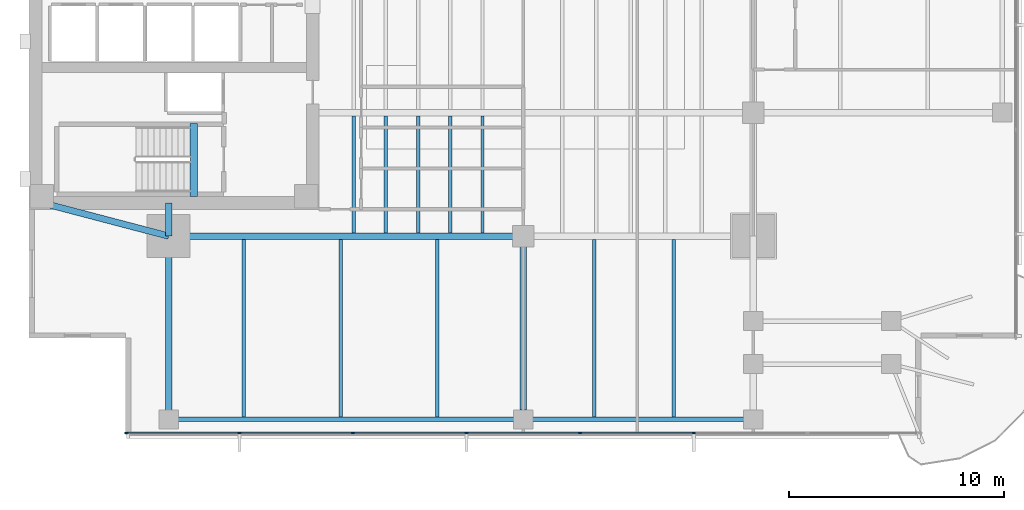
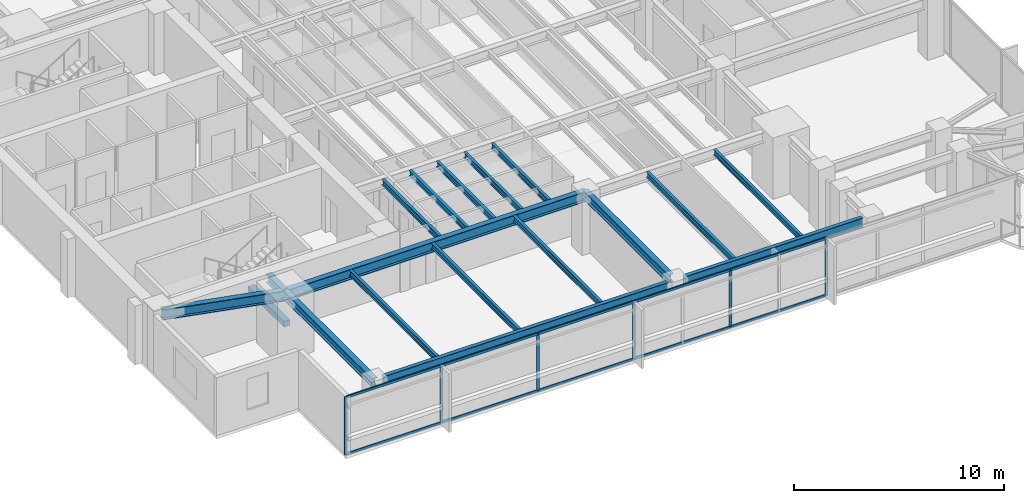
# One storey, part 2 of 14: 18 beams, 16 members, 1 element without a shape of its own.
"""IFC4 building model written with IfcOpenShell, lengths in metres."""

from ifc_helpers import new_model, si_unit, direction, frame, origin, origin_2d, place, context, subcontext, project, spatial, rectangle, i_section, extrude, material, layer, layer_set, material_profile, profile_set, type_object, element, aggregate, save


model = new_model("IFC4")

# Units and contexts
model_context = context("Model", 3, precision=1e-05, world=origin(), true_north=direction((0.0, 1.0)))
body_context = subcontext(model_context, "Body", "Model", "MODEL_VIEW")
ifc_project = project(units=[si_unit("LENGTHUNIT", "METRE"), si_unit("AREAUNIT", "SQUARE_METRE"), si_unit("VOLUMEUNIT", "CUBIC_METRE"), si_unit("PLANEANGLEUNIT", "RADIAN"), si_unit("MASSUNIT", "GRAM", prefix="KILO")], contexts=[model_context])

# Site, building, storey
site_placement = place(None, origin())
site = spatial("IfcSite", under=ifc_project, at=site_placement, CompositionType="ELEMENT")
building_placement = place(site_placement, origin())
building = spatial("IfcBuilding", under=site, at=building_placement, Name="Kinhvarn Gate Tower", CompositionType="ELEMENT")
storey_placement = place(building_placement, frame((0.0, 0.0, 116.449951171875)))
storey = spatial("IfcBuildingStorey", under=building, at=storey_placement, Name="L30", CompositionType="ELEMENT", Elevation=116.449951171875)

# Beam
ifc_material_1 = material(Name="Concrete C50/60", Category="concrete")
ifc_material_profile_1 = material_profile(ifc_material_1, rectangle(XDim=0.340087890625, YDim=0.320068359375, at=origin_2d()), Name="RC 340x320")
ifc_profile_set_1 = profile_set([ifc_material_profile_1], Name="Concrete C50/60")
beam_type_1 = type_object("IfcBeamType", Name="BM-LND-500", PredefinedType="BEAM", material=ifc_profile_set_1)
beam_1_placement = place(storey_placement, frame((12.1650390625, 14.60009765625, -0.159912109375), z_axis=(0.0, 1.0, 0.0), x_axis=(-1.0, 0.0, 0.0)))
element("IfcBeam", 1, at=beam_1_placement, inside=storey, type_object=beam_type_1, Name="Stair ST1 Landing Nosing Beam (L30)", PredefinedType="BEAM", context=body_context, shape_type="SweptSolid", body=[
    extrude(rectangle(XDim=0.340087890625, YDim=0.320068359375, at=origin_2d()), origin(), (0.0, 0.0, 1.0), 3.39990234375),
])

# Curtain wall, members
ifc_material_2 = material(Name="Anodised aluminium AW-6063", Category="aluminium")
ifc_layer = layer(ifc_material_2, 0.179931640625)
ifc_layer_set = layer_set([ifc_layer], Name="Anodised aluminium AW-6063")
curtain_wall_type = type_object("IfcCurtainWallType", Name="CW-SYS-3", PredefinedType="NOTDEFINED", material=ifc_layer_set)
curtain_wall_placement = place(storey_placement, origin())
curtain_wall = element("IfcCurtainWall", 2, at=curtain_wall_placement, inside=storey, type_object=curtain_wall_type, Name="Curtain Wall CW3 (L30)", PredefinedType="NOTDEFINED")
ifc_material_profile_2 = material_profile(ifc_material_2, rectangle(XDim=0.06494140625, YDim=0.159912109375, at=origin_2d()), Name="ALU 65x160")
ifc_profile_set_2 = profile_set([ifc_material_profile_2], Name="Anodised aluminium AW-6063")
member_type_1 = type_object("IfcMemberType", Name="CW-MUL-160", PredefinedType="MULLION", material=ifc_profile_set_2)
member_1_placement = place(storey_placement, frame((9.032470703125, 3.590087890625, 0.0), z_axis=(0.0, 0.0, 1.0), x_axis=(0.0, 1.0, 0.0)))
member_1 = element("IfcMember", 3, at=member_1_placement, type_object=member_type_1, Name="CW3 mullion 1", PredefinedType="MULLION", context=body_context, shape_type="SweptSolid", body=[
    extrude(rectangle(XDim=0.06494140625, YDim=0.159912109375, at=origin_2d()), origin(), (0.0, 0.0, 1.0), 3.3701171875),
])
member_2_placement = place(storey_placement, frame((14.28564453125, 3.590087890625, 0.0), z_axis=(0.0, 0.0, 1.0), x_axis=(0.0, 1.0, 0.0)))
member_2 = element("IfcMember", 4, at=member_2_placement, type_object=member_type_1, Name="CW3 mullion 2", PredefinedType="MULLION", context=body_context, shape_type="SweptSolid", body=[
    extrude(rectangle(XDim=0.06494140625, YDim=0.159912109375, at=origin_2d()), origin(), (0.0, 0.0, 1.0), 3.3701171875),
])
member_3_placement = place(storey_placement, frame((19.571533203125, 3.590087890625, 0.0), z_axis=(0.0, 0.0, 1.0), x_axis=(0.0, 1.0, 0.0)))
member_3 = element("IfcMember", 5, at=member_3_placement, type_object=member_type_1, Name="CW3 mullion 3", PredefinedType="MULLION", context=body_context, shape_type="SweptSolid", body=[
    extrude(rectangle(XDim=0.06494140625, YDim=0.159912109375, at=origin_2d()), origin(), (0.0, 0.0, 1.0), 3.3701171875),
])
member_4_placement = place(storey_placement, frame((24.857177734375, 3.590087890625, 0.0), z_axis=(0.0, 0.0, 1.0), x_axis=(0.0, 1.0, 0.0)))
member_4 = element("IfcMember", 6, at=member_4_placement, type_object=member_type_1, Name="CW3 mullion 4", PredefinedType="MULLION", context=body_context, shape_type="SweptSolid", body=[
    extrude(rectangle(XDim=0.06494140625, YDim=0.159912109375, at=origin_2d()), origin(), (0.0, 0.0, 1.0), 3.3701171875),
])
member_5_placement = place(storey_placement, frame((30.142822265625, 3.590087890625, 0.0), z_axis=(0.0, 0.0, 1.0), x_axis=(0.0, 1.0, 0.0)))
member_5 = element("IfcMember", 7, at=member_5_placement, type_object=member_type_1, Name="CW3 mullion 5", PredefinedType="MULLION", context=body_context, shape_type="SweptSolid", body=[
    extrude(rectangle(XDim=0.06494140625, YDim=0.159912109375, at=origin_2d()), origin(), (0.0, 0.0, 1.0), 3.3701171875),
])
member_6_placement = place(storey_placement, frame((35.428466796875, 3.590087890625, 0.0), z_axis=(0.0, 0.0, 1.0), x_axis=(0.0, 1.0, 0.0)))
member_6 = element("IfcMember", 8, at=member_6_placement, type_object=member_type_1, Name="CW3 mullion 6", PredefinedType="MULLION", context=body_context, shape_type="SweptSolid", body=[
    extrude(rectangle(XDim=0.06494140625, YDim=0.159912109375, at=origin_2d()), origin(), (0.0, 0.0, 1.0), 3.3701171875),
])
ifc_material_profile_3 = material_profile(ifc_material_2, rectangle(XDim=0.070068359375, YDim=0.139892578125, at=origin_2d()), Name="ALU 70x140")
ifc_profile_set_3 = profile_set([ifc_material_profile_3], Name="Anodised aluminium AW-6063")
member_type_2 = type_object("IfcMemberType", Name="CW-TRN-140", PredefinedType="USERDEFINED", material=ifc_profile_set_3)
member_7_placement = place(storey_placement, frame((9.06494140625, 3.590087890625, 0.03515625), z_axis=(1.0, 0.0, 0.0), x_axis=(0.0, 1.0, 0.0)))
member_7 = element("IfcMember", 9, at=member_7_placement, type_object=member_type_2, Name="CW3 transom 1.1", ObjectType="TRANSOM", PredefinedType="USERDEFINED", context=body_context, shape_type="SweptSolid", body=[
    extrude(rectangle(XDim=0.070068359375, YDim=0.139892578125, at=origin_2d()), origin(), (0.0, 0.0, 1.0), 5.188232421875),
])
member_8_placement = place(storey_placement, frame((9.06494140625, 3.590087890625, 3.3349609375), z_axis=(1.0, 0.0, 0.0), x_axis=(0.0, 1.0, 0.0)))
member_8 = element("IfcMember", 10, at=member_8_placement, type_object=member_type_2, Name="CW3 transom 1.2", ObjectType="TRANSOM", PredefinedType="USERDEFINED", context=body_context, shape_type="SweptSolid", body=[
    extrude(rectangle(XDim=0.070068359375, YDim=0.139892578125, at=origin_2d()), origin(), (0.0, 0.0, 1.0), 5.188232421875),
])
member_9_placement = place(storey_placement, frame((14.318115234375, 3.590087890625, 0.03515625), z_axis=(1.0, 0.0, 0.0), x_axis=(0.0, 1.0, 0.0)))
member_9 = element("IfcMember", 11, at=member_9_placement, type_object=member_type_2, Name="CW3 transom 2.1", ObjectType="TRANSOM", PredefinedType="USERDEFINED", context=body_context, shape_type="SweptSolid", body=[
    extrude(rectangle(XDim=0.070068359375, YDim=0.139892578125, at=origin_2d()), origin(), (0.0, 0.0, 1.0), 5.220703125),
])
member_10_placement = place(storey_placement, frame((14.318115234375, 3.590087890625, 3.3349609375), z_axis=(1.0, 0.0, 0.0), x_axis=(0.0, 1.0, 0.0)))
member_10 = element("IfcMember", 12, at=member_10_placement, type_object=member_type_2, Name="CW3 transom 2.2", ObjectType="TRANSOM", PredefinedType="USERDEFINED", context=body_context, shape_type="SweptSolid", body=[
    extrude(rectangle(XDim=0.070068359375, YDim=0.139892578125, at=origin_2d()), origin(), (0.0, 0.0, 1.0), 5.220703125),
])
member_11_placement = place(storey_placement, frame((19.60400390625, 3.590087890625, 0.03515625), z_axis=(1.0, 0.0, 0.0), x_axis=(0.0, 1.0, 0.0)))
member_11 = element("IfcMember", 13, at=member_11_placement, type_object=member_type_2, Name="CW3 transom 3.1", ObjectType="TRANSOM", PredefinedType="USERDEFINED", context=body_context, shape_type="SweptSolid", body=[
    extrude(rectangle(XDim=0.070068359375, YDim=0.139892578125, at=origin_2d()), origin(), (0.0, 0.0, 1.0), 5.220703125),
])
member_12_placement = place(storey_placement, frame((19.60400390625, 3.590087890625, 3.3349609375), z_axis=(1.0, 0.0, 0.0), x_axis=(0.0, 1.0, 0.0)))
member_12 = element("IfcMember", 14, at=member_12_placement, type_object=member_type_2, Name="CW3 transom 3.2", ObjectType="TRANSOM", PredefinedType="USERDEFINED", context=body_context, shape_type="SweptSolid", body=[
    extrude(rectangle(XDim=0.070068359375, YDim=0.139892578125, at=origin_2d()), origin(), (0.0, 0.0, 1.0), 5.220703125),
])
member_13_placement = place(storey_placement, frame((24.8896484375, 3.590087890625, 0.03515625), z_axis=(1.0, 0.0, 0.0), x_axis=(0.0, 1.0, 0.0)))
member_13 = element("IfcMember", 15, at=member_13_placement, type_object=member_type_2, Name="CW3 transom 4.1", ObjectType="TRANSOM", PredefinedType="USERDEFINED", context=body_context, shape_type="SweptSolid", body=[
    extrude(rectangle(XDim=0.070068359375, YDim=0.139892578125, at=origin_2d()), origin(), (0.0, 0.0, 1.0), 5.220703125),
])
member_14_placement = place(storey_placement, frame((24.8896484375, 3.590087890625, 3.3349609375), z_axis=(1.0, 0.0, 0.0), x_axis=(0.0, 1.0, 0.0)))
member_14 = element("IfcMember", 16, at=member_14_placement, type_object=member_type_2, Name="CW3 transom 4.2", ObjectType="TRANSOM", PredefinedType="USERDEFINED", context=body_context, shape_type="SweptSolid", body=[
    extrude(rectangle(XDim=0.070068359375, YDim=0.139892578125, at=origin_2d()), origin(), (0.0, 0.0, 1.0), 5.220703125),
])
member_15_placement = place(storey_placement, frame((30.17529296875, 3.590087890625, 0.03515625), z_axis=(1.0, 0.0, 0.0), x_axis=(0.0, 1.0, 0.0)))
member_15 = element("IfcMember", 17, at=member_15_placement, type_object=member_type_2, Name="CW3 transom 5.1", ObjectType="TRANSOM", PredefinedType="USERDEFINED", context=body_context, shape_type="SweptSolid", body=[
    extrude(rectangle(XDim=0.070068359375, YDim=0.139892578125, at=origin_2d()), origin(), (0.0, 0.0, 1.0), 5.220703125),
])
member_16_placement = place(storey_placement, frame((30.17529296875, 3.590087890625, 3.3349609375), z_axis=(1.0, 0.0, 0.0), x_axis=(0.0, 1.0, 0.0)))
member_16 = element("IfcMember", 18, at=member_16_placement, type_object=member_type_2, Name="CW3 transom 5.2", ObjectType="TRANSOM", PredefinedType="USERDEFINED", context=body_context, shape_type="SweptSolid", body=[
    extrude(rectangle(XDim=0.070068359375, YDim=0.139892578125, at=origin_2d()), origin(), (0.0, 0.0, 1.0), 5.220703125),
])
aggregate(curtain_wall, [member_1, member_2, member_3, member_4, member_5, member_6, member_7, member_8, member_9, member_10, member_11, member_12, member_13, member_14, member_15, member_16])

# Beams
ifc_material_3 = material(Name="Steel S355", Category="steel")
ifc_material_profile_4 = material_profile(ifc_material_3, i_section(OverallWidth=0.300048828125, OverallDepth=0.5, WebThickness=0.014404296875, FlangeThickness=0.028076171875, at=origin_2d()), Name="HEB 500")
ifc_profile_set_4 = profile_set([ifc_material_profile_4], Name="Steel S355")
beam_type_2 = type_object("IfcBeamType", Name="STL-HEB500", PredefinedType="BEAM", material=ifc_profile_set_4)
beam_2_placement = place(storey_placement, frame((11.0, 4.219970703125, 3.1201171875), z_axis=(0.0, 1.0, 0.0), x_axis=(-1.0, 0.0, 0.0)))
element("IfcBeam", 19, at=beam_2_placement, inside=storey, type_object=beam_type_2, Name="Floor Beam PG-14 (L30 MCW-S)", PredefinedType="BEAM", context=body_context, shape_type="SweptSolid", body=[
    extrude(i_section(OverallWidth=0.300048828125, OverallDepth=0.5, WebThickness=0.014404296875, FlangeThickness=0.028076171875, at=origin_2d()), origin(), (0.0, 0.0, 1.0), 8.530029296875),
])
beam_3_placement = place(storey_placement, frame((11.0, 12.75, 3.1201171875), z_axis=(0.0, 1.0, 0.0), x_axis=(-1.0, 0.0, 0.0)))
element("IfcBeam", 20, at=beam_3_placement, inside=storey, type_object=beam_type_2, Name="Floor Beam PG-14 (L30 MCW-CS)", PredefinedType="BEAM", context=body_context, shape_type="SweptSolid", body=[
    extrude(i_section(OverallWidth=0.300048828125, OverallDepth=0.5, WebThickness=0.014404296875, FlangeThickness=0.028076171875, at=origin_2d()), origin(), (0.0, 0.0, 1.0), 1.550048828125),
])
beam_4_placement = place(storey_placement, frame((27.5, 4.655029296875, 3.1201171875), z_axis=(0.0, 1.0, 0.0), x_axis=(-1.0, 0.0, 0.0)))
element("IfcBeam", 21, at=beam_4_placement, inside=storey, type_object=beam_type_2, Name="Floor Beam PG-14 (L30 SP27-S-TIE)", PredefinedType="BEAM", context=body_context, shape_type="SweptSolid", body=[
    extrude(i_section(OverallWidth=0.300048828125, OverallDepth=0.5, WebThickness=0.014404296875, FlangeThickness=0.028076171875, at=origin_2d()), origin(), (0.0, 0.0, 1.0), 8.094970703125),
])
ifc_material_profile_5 = material_profile(ifc_material_3, i_section(OverallWidth=0.300048828125, OverallDepth=0.60009765625, WebThickness=0.015380859375, FlangeThickness=0.030029296875, at=origin_2d()), Name="HEB 600")
ifc_profile_set_5 = profile_set([ifc_material_profile_5], Name="Steel S355")
beam_type_3 = type_object("IfcBeamType", Name="STL-HEB600", PredefinedType="BEAM", material=ifc_profile_set_5)
beam_5_placement = place(storey_placement, frame((11.0, 12.75, 3.070068359375), z_axis=(1.0, 0.0, 0.0), x_axis=(0.0, 1.0, 0.0)))
element("IfcBeam", 22, at=beam_5_placement, inside=storey, type_object=beam_type_3, Name="Floor Beam PG-16 (L30 MG-S1)", PredefinedType="BEAM", context=body_context, shape_type="SweptSolid", body=[
    extrude(i_section(OverallWidth=0.300048828125, OverallDepth=0.60009765625, WebThickness=0.015380859375, FlangeThickness=0.030029296875, at=origin_2d()), origin(), (0.0, 0.0, 1.0), 16.5),
])
beam_6_placement = place(storey_placement, frame((5.10009765625, 14.300048828125, 3.070068359375), z_axis=(0.967177623957, -0.254101246979, 0.0), x_axis=(0.254101246979, 0.967177623957, 0.0)))
element("IfcBeam", 23, at=beam_6_placement, inside=storey, type_object=beam_type_3, Name="Floor Beam PG-16 (L30 MG-SW-DIAG)", PredefinedType="BEAM", context=body_context, shape_type="SweptSolid", body=[
    extrude(i_section(OverallWidth=0.300048828125, OverallDepth=0.60009765625, WebThickness=0.015380859375, FlangeThickness=0.030029296875, at=origin_2d()), origin(), (0.0, 0.0, 1.0), 6.10009765625),
])
ifc_material_profile_6 = material_profile(ifc_material_3, i_section(OverallWidth=0.159912109375, OverallDepth=0.330078125, WebThickness=0.007568359375, FlangeThickness=0.011474609375, at=origin_2d()), Name="IPE 330")
ifc_profile_set_6 = profile_set([ifc_material_profile_6], Name="Steel S355")
beam_type_4 = type_object("IfcBeamType", Name="STL-IPE330", PredefinedType="JOIST", material=ifc_profile_set_6)
for number, where, z_axis, x_axis, name in (
    (24, (19.60009765625, 12.89990234375, 3.205078125), (0.0, 1.0, 0.0), (-1.0, 0.0, 0.0), "Floor Joist SB-03 (L30 JC-X196-0)"),
    (25, (21.10009765625, 12.89990234375, 3.205078125), (0.0, 1.0, 0.0), (-1.0, 0.0, 0.0), "Floor Joist SB-03 (L30 JC-X211-0)"),
    (26, (22.60009765625, 12.89990234375, 3.205078125), (0.0, 1.0, 0.0), (-1.0, 0.0, 0.0), "Floor Joist SB-03 (L30 JC-X226-0)"),
    (27, (24.10009765625, 12.89990234375, 3.205078125), (0.0, 1.0, 0.0), (-1.0, 0.0, 0.0), "Floor Joist SB-03 (L30 JC-X241-0)"),
    (28, (25.60009765625, 12.89990234375, 3.205078125), (0.0, 1.0, 0.0), (-1.0, 0.0, 0.0), "Floor Joist SB-03 (L30 JC-X256-0)"),
):
    element("IfcBeam", number, at=place(storey_placement, frame(where, z_axis=z_axis, x_axis=x_axis)), inside=storey, type_object=beam_type_4, Name=name, PredefinedType="JOIST", context=body_context, shape_type="SweptSolid", body=[
        extrude(i_section(OverallWidth=0.159912109375, OverallDepth=0.330078125, WebThickness=0.007568359375, FlangeThickness=0.011474609375, at=origin_2d()), origin(), (0.0, 0.0, 1.0), 5.4501953125),
    ])
for number, where, z_axis, x_axis, name in (
    (29, (14.5, 4.324951171875, 3.205078125), (0.0, 1.0, 0.0), (-1.0, 0.0, 0.0), "Floor Joist SB-03 (L30 JS-X145)"),
    (30, (19.0, 4.324951171875, 3.205078125), (0.0, 1.0, 0.0), (-1.0, 0.0, 0.0), "Floor Joist SB-03 (L30 JS-X190)"),
    (31, (23.5, 4.324951171875, 3.205078125), (0.0, 1.0, 0.0), (-1.0, 0.0, 0.0), "Floor Joist SB-03 (L30 JS-X235)"),
    (32, (30.800048828125, 4.324951171875, 3.205078125), (0.0, 1.0, 0.0), (-1.0, 0.0, 0.0), "Floor Joist SB-03 (L30 JS-X308)"),
    (33, (34.5, 4.324951171875, 3.205078125), (0.0, 1.0, 0.0), (-1.0, 0.0, 0.0), "Floor Joist SB-03 (L30 JS-X345)"),
):
    element("IfcBeam", number, at=place(storey_placement, frame(where, z_axis=z_axis, x_axis=x_axis)), inside=storey, type_object=beam_type_4, Name=name, PredefinedType="JOIST", context=body_context, shape_type="SweptSolid", body=[
        extrude(i_section(OverallWidth=0.159912109375, OverallDepth=0.330078125, WebThickness=0.007568359375, FlangeThickness=0.011474609375, at=origin_2d()), origin(), (0.0, 0.0, 1.0), 8.275146484375),
    ])
ifc_material_profile_7 = material_profile(ifc_material_3, i_section(OverallWidth=0.2099609375, OverallDepth=0.550048828125, WebThickness=0.010986328125, FlangeThickness=0.01708984375, at=origin_2d()), Name="IPE 550")
ifc_profile_set_7 = profile_set([ifc_material_profile_7], Name="Steel S355")
beam_type_5 = type_object("IfcBeamType", Name="STL-IPE550", PredefinedType="SPANDREL", material=ifc_profile_set_7)
beam_7_placement = place(storey_placement, frame((11.43505859375, 4.219970703125, 3.094970703125), z_axis=(1.0, 0.0, 0.0), x_axis=(0.0, 1.0, 0.0)))
element("IfcBeam", 34, at=beam_7_placement, inside=storey, type_object=beam_type_5, Name="Floor Spandrel SB-08 (L30 SP-S1)", PredefinedType="SPANDREL", context=body_context, shape_type="SweptSolid", body=[
    extrude(i_section(OverallWidth=0.2099609375, OverallDepth=0.550048828125, WebThickness=0.010986328125, FlangeThickness=0.01708984375, at=origin_2d()), origin(), (0.0, 0.0, 1.0), 15.6298828125),
])
beam_8_placement = place(storey_placement, frame((27.93505859375, 4.219970703125, 3.094970703125), z_axis=(1.0, 0.0, 0.0), x_axis=(0.0, 1.0, 0.0)))
element("IfcBeam", 35, at=beam_8_placement, inside=storey, type_object=beam_type_5, Name="Floor Spandrel SB-08 (L30 SP-S2)", PredefinedType="SPANDREL", context=body_context, shape_type="SweptSolid", body=[
    extrude(i_section(OverallWidth=0.2099609375, OverallDepth=0.550048828125, WebThickness=0.010986328125, FlangeThickness=0.01708984375, at=origin_2d()), origin(), (0.0, 0.0, 1.0), 9.829833984375),
])

save(model, "model.ifc")
